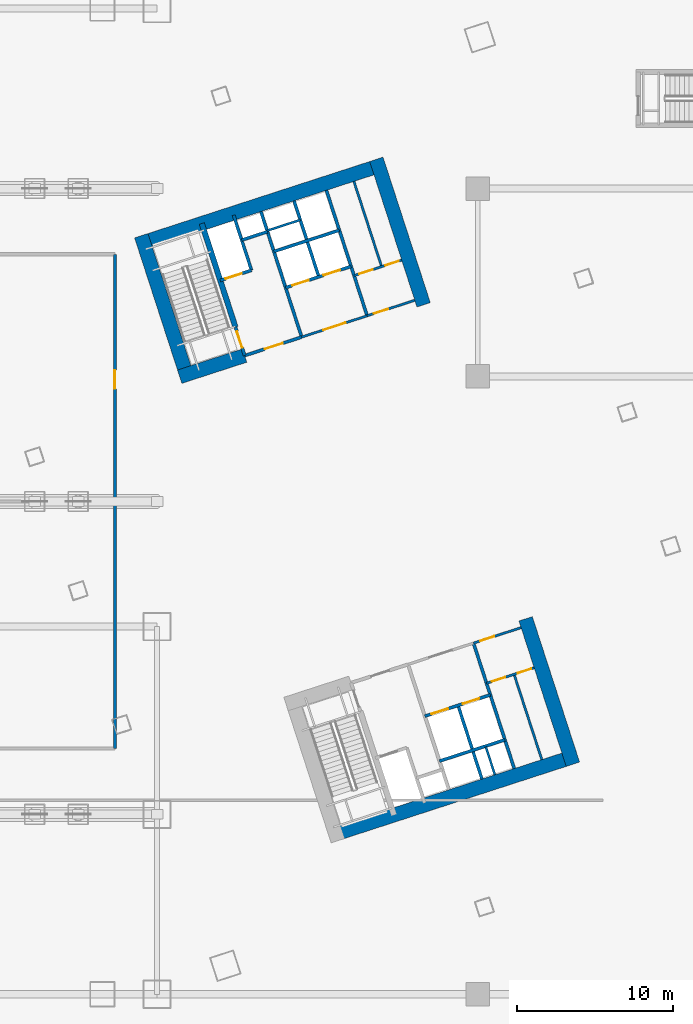
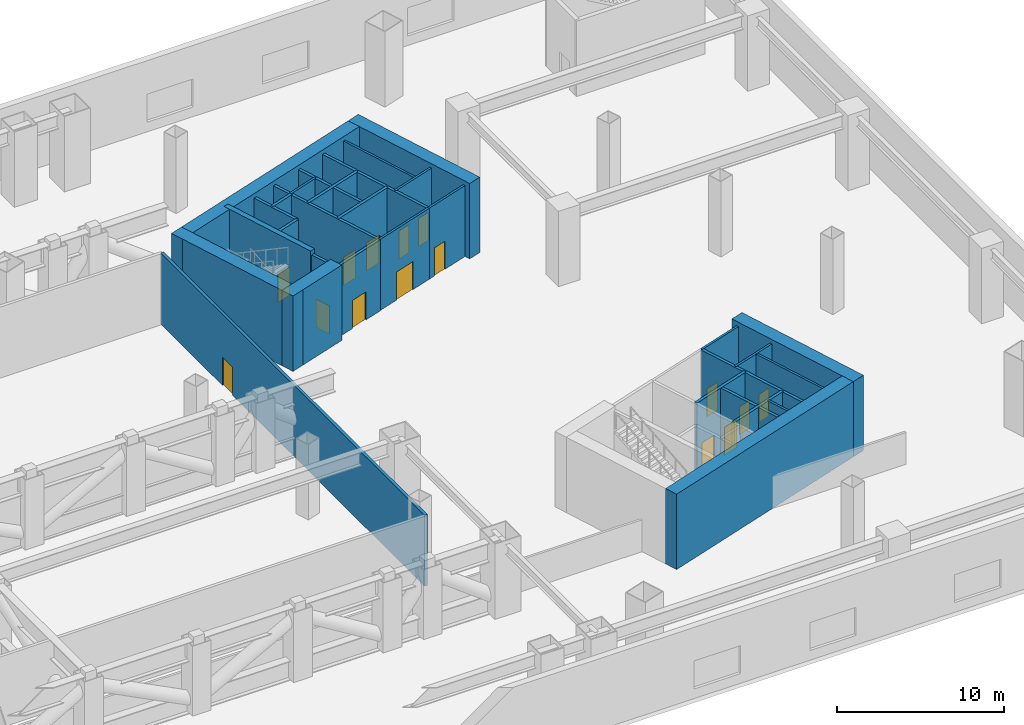
# One storey, part 28 of 34: 31 walls, 15 doors, 15 openings.
"""IFC4 building model written with IfcOpenShell, lengths in metres."""

from ifc_helpers import new_model, si_unit, direction, frame, frame_2d, origin, place, context, subcontext, project, spatial, rectangle, extrude, material, layer, layer_set, type_object, element, fill, save


model = new_model("IFC4")

# Units and contexts
model_context = context("Model", 3, precision=1e-05, world=origin(), true_north=direction((0.0, 1.0)))
body_context = subcontext(model_context, "Body", "Model", "MODEL_VIEW")
ifc_project = project(units=[si_unit("LENGTHUNIT", "METRE"), si_unit("AREAUNIT", "SQUARE_METRE"), si_unit("VOLUMEUNIT", "CUBIC_METRE"), si_unit("PLANEANGLEUNIT", "RADIAN"), si_unit("MASSUNIT", "GRAM", prefix="KILO")], contexts=[model_context])

# Site, building, storey
site_placement = place(None, origin())
site = spatial("IfcSite", under=ifc_project, at=site_placement, CompositionType="ELEMENT")
building_placement = place(site_placement, origin())
building = spatial("IfcBuilding", under=site, at=building_placement, Name="Qiaolan Cultural Towers", CompositionType="ELEMENT")
storey_placement = place(building_placement, frame((0.0, 0.0, 16.5)))
storey = spatial("IfcBuildingStorey", under=building, at=storey_placement, Name="L03", CompositionType="ELEMENT", Elevation=16.5)

# Walls
ifc_material_1 = material(Name="Concrete C50", Category="concrete")
ifc_layer_1 = layer(ifc_material_1, 0.35009765625)
ifc_layer_set_1 = layer_set([ifc_layer_1], Name="Concrete C50")
wall_type_1 = type_object("IfcWallType", Name="WL-CORE-350", PredefinedType="SHEAR", material=ifc_layer_set_1)
wall_1_placement = place(storey_placement, frame((82.513671875, 45.13134765625, 0.0), z_axis=(0.0, 0.0, 1.0), x_axis=(-0.308988790936, 0.951065679686, 0.0)))
element("IfcWall", 1, at=wall_1_placement, inside=storey, type_object=wall_type_1, Name="L03 T2-CN Stair Core Dividing Web", PredefinedType="SHEAR", context=body_context, shape_type="SweptSolid", body=[
    extrude(rectangle(XDim=6.97998046875, YDim=0.35009765625, at=frame_2d((3.489990234375, 0.0))), origin(), (0.0, 0.0, 1.0), 5.5),
])
ifc_material_2 = material(Name="Concrete C60", Category="concrete")
ifc_layer_2 = layer(ifc_material_2, 0.89990234375)
ifc_layer_set_2 = layer_set([ifc_layer_2], Name="Concrete C60")
wall_type_2 = type_object("IfcWallType", Name="WL-CORE-900", PredefinedType="SHEAR", material=ifc_layer_set_2)
wall_2_placement = place(storey_placement, frame((88.4873046875, 12.60546875, 0.0), z_axis=(0.0, 0.0, 1.0), x_axis=(0.951055016115, 0.309021611416, 0.0)))
element("IfcWall", 2, at=wall_2_placement, inside=storey, type_object=wall_type_2, Name="L03 T2-CS Outer Core Shear Wall", PredefinedType="SHEAR", context=body_context, shape_type="SweptSolid", body=[
    extrude(rectangle(XDim=16.699951171875, YDim=0.89990234375, at=frame_2d((8.35009765625, 0.0))), origin(), (0.0, 0.0, 1.0), 5.5),
])
wall_3_placement = place(storey_placement, frame((101.058837890625, 26.500244140625, 0.0), z_axis=(0.0, 0.0, 1.0), x_axis=(0.309021722829, -0.951054979914, 0.0)))
element("IfcWall", 3, at=wall_3_placement, inside=storey, type_object=wall_type_2, Name="L03 T2-CS East Core Shear Wall", PredefinedType="SHEAR", context=body_context, shape_type="SweptSolid", body=[
    extrude(rectangle(XDim=9.780029296875, YDim=0.89990234375, at=frame_2d((4.89013671875, 0.0))), origin(), (0.0, 0.0, 1.0), 5.5),
])
wall_4_placement = place(storey_placement, frame((76.20068359375, 50.41943359375, 0.0), z_axis=(0.0, 0.0, 1.0), x_axis=(0.951056412142, 0.309017314926, 0.0)))
element("IfcWall", 4, at=wall_4_placement, inside=storey, type_object=wall_type_2, Name="L03 T2-CN Outer Core Shear Wall", PredefinedType="SHEAR", context=body_context, shape_type="SweptSolid", body=[
    extrude(rectangle(XDim=16.7001953125, YDim=0.89990234375, at=frame_2d((8.35009765625, 0.0))), origin(), (0.0, 0.0, 1.0), 5.5),
])
for number, where, z_axis, x_axis, name in (
    (5, (79.511962890625, 41.68505859375, 0.0), (0.0, 0.0, 1.0), (-0.309021722829, 0.951054979914, 0.0), "L03 T2-CN West Core Shear Wall"),
    (6, (94.53857421875, 46.567626953125, 0.0), (0.0, 0.0, 1.0), (-0.309021722829, 0.951054979914, 0.0), "L03 T2-CN East Core Shear Wall"),
):
    element("IfcWall", number, at=place(storey_placement, frame(where, z_axis=z_axis, x_axis=x_axis)), inside=storey, type_object=wall_type_2, Name=name, PredefinedType="SHEAR", context=body_context, shape_type="SweptSolid", body=[
        extrude(rectangle(XDim=9.780029296875, YDim=0.89990234375, at=frame_2d((4.89013671875, 0.0))), origin(), (0.0, 0.0, 1.0), 5.5),
    ])
wall_5_placement = place(storey_placement, frame((78.94482421875, 41.97412109375, 0.0), z_axis=(0.0, 0.0, 1.0), x_axis=(0.951058289404, 0.309011537255, 0.0)))
element("IfcWall", 7, at=wall_5_placement, inside=storey, type_object=wall_type_2, Name="L03 T2-CN Stair Front Shear Wall", PredefinedType="SHEAR", context=body_context, shape_type="SweptSolid", body=[
    extrude(rectangle(XDim=4.369873046875, YDim=0.89990234375, at=frame_2d((2.18505859375, 0.0))), origin(), (0.0, 0.0, 1.0), 5.5),
])
ifc_material_3 = material(Name="Concrete C35 Fire Wall", Category="concrete")
ifc_layer_3 = layer(ifc_material_3, 0.199951171875)
ifc_layer_set_3 = layer_set([ifc_layer_3], Name="Concrete C35 Fire Wall")
wall_type_3 = type_object("IfcWallType", Name="WL-FIRE-200", PredefinedType="PARTITIONING", material=ifc_layer_set_3)
wall_6_placement = place(storey_placement, frame((97.7265625, 24.9443359375, 0.0), z_axis=(0.0, 0.0, 1.0), x_axis=(0.309016001439, -0.951056838919, 0.0)))
element("IfcWall", 8, at=wall_6_placement, inside=storey, type_object=wall_type_3, Name="L03 T2-CS Lift Core East Wall", PredefinedType="PARTITIONING", context=body_context, shape_type="SweptSolid", body=[
    extrude(rectangle(XDim=8.429931640625, YDim=0.199951171875, at=frame_2d((4.21484375, 0.0))), origin(), (0.0, 0.0, 1.0), 5.18505859375),
])

# Wall, openings, doors
wall_7_placement = place(storey_placement, frame((94.6171875, 20.275146484375, 0.0), z_axis=(0.0, 0.0, 1.0), x_axis=(0.951058531764, 0.30901079133, 0.0)))
wall_7 = element("IfcWall", 9, at=wall_7_placement, inside=storey, type_object=wall_type_3, Name="L03 T2-CS Passenger Lift Shaft Front Wall", PredefinedType="PARTITIONING", context=body_context, shape_type="SweptSolid", body=[
    extrude(rectangle(XDim=4.39990234375, YDim=0.199951171875, at=frame_2d((2.199951171875, 0.0))), origin(), (0.0, 0.0, 1.0), 5.18505859375),
])
opening_1_placement = place(wall_7_placement, frame((0.449951171875, 0.0, 0.0)))
opening_1 = element("IfcOpeningElement", 10, at=opening_1_placement, cuts=wall_7, Name="Opening LD-01", PredefinedType="OPENING", context=body_context, shape_type="SweptSolid", body=[
    extrude(rectangle(XDim=1.10009765625, YDim=2.050048828125, at=frame_2d((0.550048828125, 1.02490234375))), frame((0.0, 0.10986328125, 0.0), z_axis=(0.0, -1.0, 0.0), x_axis=(1.0, 0.0, 0.0)), (0.0, 0.0, 1.0), 0.219970703125),
])
opening_2_placement = place(wall_7_placement, frame((2.550048828125, 0.0, 0.0)))
opening_2 = element("IfcOpeningElement", 11, at=opening_2_placement, cuts=wall_7, Name="Opening LD-01", PredefinedType="OPENING", context=body_context, shape_type="SweptSolid", body=[
    extrude(rectangle(XDim=1.10009765625, YDim=2.050048828125, at=frame_2d((0.550048828125, 1.02490234375))), frame((0.0, 0.10986328125, 0.0), z_axis=(0.0, -1.0, 0.0), x_axis=(1.0, 0.0, 0.0)), (0.0, 0.0, 1.0), 0.219970703125),
])
ifc_material_4 = material(Name="Brushed Stainless Steel S30408 Centre-Parting Lift Landing Door", Category="steel")
door_type_1 = type_object("IfcDoorType", Name="DR-LIFT-1100", OperationType="NOTDEFINED", PredefinedType="DOOR", material=ifc_material_4)
door_1_placement = place(opening_1_placement, origin())
door_1 = element("IfcDoor", 12, at=door_1_placement, inside=storey, type_object=door_type_1, Name="L03 Passenger Lift 1 Landing Door", OperationType="DOUBLE_DOOR_SLIDING", OverallHeight=2.050048828125, OverallWidth=1.10009765625, PredefinedType="DOOR", context=body_context, shape_type="SweptSolid", body=[
    extrude(rectangle(XDim=1.10009765625, YDim=2.050048828125, at=frame_2d((0.550048828125, 1.02490234375))), frame((0.0, 0.02490234375, 0.0), z_axis=(0.0, -1.0, 0.0), x_axis=(1.0, 0.0, 0.0)), (0.0, 0.0, 1.0), 0.050048828125),
])
fill(opening_1, door_1)
door_2_placement = place(opening_2_placement, origin())
door_2 = element("IfcDoor", 13, at=door_2_placement, inside=storey, type_object=door_type_1, Name="L03 Passenger Lift 2 Landing Door", OperationType="DOUBLE_DOOR_SLIDING", OverallHeight=2.050048828125, OverallWidth=1.10009765625, PredefinedType="DOOR", context=body_context, shape_type="SweptSolid", body=[
    extrude(rectangle(XDim=1.10009765625, YDim=2.050048828125, at=frame_2d((0.550048828125, 1.02490234375))), frame((0.0, 0.02490234375, 0.0), z_axis=(0.0, -1.0, 0.0), x_axis=(1.0, 0.0, 0.0)), (0.0, 0.0, 1.0), 0.050048828125),
])
fill(opening_2, door_2)

# Walls
wall_8_placement = place(storey_placement, frame((96.738037109375, 20.964111328125, 0.0), z_axis=(0.0, 0.0, 1.0), x_axis=(0.309042578481, -0.951048203135, 0.0)))
element("IfcWall", 14, at=wall_8_placement, inside=storey, type_object=wall_type_3, Name="L03 T2-CS Lift Shaft Divider Wall", PredefinedType="PARTITIONING", context=body_context, shape_type="SweptSolid", body=[
    extrude(rectangle(XDim=4.9501953125, YDim=0.199951171875, at=frame_2d((2.47509765625, 0.0))), origin(), (0.0, 0.0, 1.0), 5.18505859375),
])
wall_9_placement = place(storey_placement, frame((95.550537109375, 17.40283203125, 0.0), z_axis=(0.0, 0.0, 1.0), x_axis=(0.951058531764, 0.30901079133, 0.0)))
element("IfcWall", 15, at=wall_9_placement, inside=storey, type_object=wall_type_3, Name="L03 T2-CS Passenger Lift Shaft Back Wall", PredefinedType="PARTITIONING", context=body_context, shape_type="SweptSolid", body=[
    extrude(rectangle(XDim=4.39990234375, YDim=0.199951171875, at=frame_2d((2.199951171875, 0.0))), origin(), (0.0, 0.0, 1.0), 5.18505859375),
])

# Wall, opening, door
wall_10_placement = place(storey_placement, frame((83.100830078125, 43.324462890625, 0.0), z_axis=(0.0, 0.0, 1.0), x_axis=(-0.309048298632, 0.951046344356, 0.0)))
wall_10 = element("IfcWall", 16, at=wall_10_placement, inside=storey, type_object=wall_type_3, Name="L03 T2-CN Smokeproof Stair Entry Wall", PredefinedType="PARTITIONING", context=body_context, shape_type="SweptSolid", body=[
    extrude(rectangle(XDim=1.89990234375, YDim=0.199951171875, at=frame_2d((0.949951171875, 0.0))), origin(), (0.0, 0.0, 1.0), 5.18505859375),
])
opening_3_placement = place(wall_10_placement, frame((0.52001953125, 0.0, 0.0)))
opening_3 = element("IfcOpeningElement", 17, at=opening_3_placement, cuts=wall_10, Name="Opening FD-04", PredefinedType="OPENING", context=body_context, shape_type="SweptSolid", body=[
    extrude(rectangle(XDim=1.10009765625, YDim=2.050048828125, at=frame_2d((0.550048828125, 1.02490234375))), frame((0.0, 0.10986328125, 0.0), z_axis=(0.0, -1.0, 0.0), x_axis=(1.0, 0.0, 0.0)), (0.0, 0.0, 1.0), 0.219970703125),
])
ifc_material_5 = material(Name="Galvanized Steel Command Fire Door", Category="steel")
door_type_2 = type_object("IfcDoorType", Name="DR-FD90-1100", OperationType="NOTDEFINED", PredefinedType="DOOR", material=ifc_material_5)
door_3_placement = place(opening_3_placement, origin())
door_3 = element("IfcDoor", 18, at=door_3_placement, inside=storey, type_object=door_type_2, Name="L03 ST-E2 Smokeproof Stair Fire Door", OperationType="SINGLE_SWING_LEFT", OverallHeight=2.050048828125, OverallWidth=1.10009765625, PredefinedType="DOOR", context=body_context, shape_type="SweptSolid", body=[
    extrude(rectangle(XDim=1.10009765625, YDim=2.050048828125, at=frame_2d((0.550048828125, 1.02490234375))), frame((0.0, 0.02490234375, 0.0), z_axis=(0.0, -1.0, 0.0), x_axis=(1.0, 0.0, 0.0)), (0.0, 0.0, 1.0), 0.050048828125),
])
fill(opening_3, door_3)

# Wall
wall_11_placement = place(storey_placement, frame((86.743408203125, 44.508056640625, 0.0), z_axis=(0.0, 0.0, 1.0), x_axis=(-0.309016001439, 0.951056838919, 0.0)))
element("IfcWall", 19, at=wall_11_placement, inside=storey, type_object=wall_type_3, Name="L03 T2-CN Firefighting Zone Wall", PredefinedType="PARTITIONING", context=body_context, shape_type="SweptSolid", body=[
    extrude(rectangle(XDim=8.429931640625, YDim=0.199951171875, at=frame_2d((4.21484375, 0.0))), origin(), (0.0, 0.0, 1.0), 5.18505859375),
])

# Wall, opening, door
wall_12_placement = place(storey_placement, frame((83.100830078125, 43.324462890625, 0.0), z_axis=(0.0, 0.0, 1.0), x_axis=(0.951052804469, 0.309028417967, 0.0)))
wall_12 = element("IfcWall", 20, at=wall_12_placement, inside=storey, type_object=wall_type_3, Name="L03 T2-CN Firefighting Lobby Front Wall", PredefinedType="PARTITIONING", context=body_context, shape_type="SweptSolid", body=[
    extrude(rectangle(XDim=3.830078125, YDim=0.199951171875, at=frame_2d((1.9150390625, 0.0))), origin(), (0.0, 0.0, 1.0), 5.18505859375),
])
opening_4_placement = place(wall_12_placement, frame((1.35009765625, 0.0, 0.0)))
opening_4 = element("IfcOpeningElement", 21, at=opening_4_placement, cuts=wall_12, Name="Opening FD-03", PredefinedType="OPENING", context=body_context, shape_type="SweptSolid", body=[
    extrude(rectangle(XDim=1.199951171875, YDim=2.050048828125, at=frame_2d((0.60009765625, 1.02490234375))), frame((0.0, 0.10986328125, 0.0), z_axis=(0.0, -1.0, 0.0), x_axis=(1.0, 0.0, 0.0)), (0.0, 0.0, 1.0), 0.219970703125),
])
ifc_material_6 = material(Name="Galvanized Steel Smokeproof Lobby Fire Door", Category="steel")
door_type_3 = type_object("IfcDoorType", Name="DR-FD90-1200", OperationType="NOTDEFINED", PredefinedType="DOOR", material=ifc_material_6)
door_4_placement = place(opening_4_placement, origin())
door_4 = element("IfcDoor", 22, at=door_4_placement, inside=storey, type_object=door_type_3, Name="L03 FFL-E2 Firefighting Lobby Fire Door", OperationType="SINGLE_SWING_LEFT", OverallHeight=2.050048828125, OverallWidth=1.199951171875, PredefinedType="DOOR", context=body_context, shape_type="SweptSolid", body=[
    extrude(rectangle(XDim=1.199951171875, YDim=2.050048828125, at=frame_2d((0.60009765625, 1.02490234375))), frame((0.0, 0.02490234375, 0.0), z_axis=(0.0, -1.0, 0.0), x_axis=(1.0, 0.0, 0.0)), (0.0, 0.0, 1.0), 0.050048828125),
])
fill(opening_4, door_4)

wall_13_placement = place(storey_placement, frame((81.540283203125, 48.127197265625, 0.0), z_axis=(0.0, 0.0, 1.0), x_axis=(0.951062257173, 0.308999325213, 0.0)))
wall_13 = element("IfcWall", 23, at=wall_13_placement, inside=storey, type_object=wall_type_3, Name="L03 T2-CN Firefighting Shaft Front Wall", PredefinedType="PARTITIONING", context=body_context, shape_type="SweptSolid", body=[
    extrude(rectangle(XDim=2.10009765625, YDim=0.199951171875, at=frame_2d((1.050048828125, 0.0))), origin(), (0.0, 0.0, 1.0), 5.18505859375),
])
opening_5_placement = place(wall_13_placement, frame((0.35009765625, 0.0, 0.0)))
opening_5 = element("IfcOpeningElement", 24, at=opening_5_placement, cuts=wall_13, Name="Opening LD-01", PredefinedType="OPENING", context=body_context, shape_type="SweptSolid", body=[
    extrude(rectangle(XDim=1.10009765625, YDim=2.050048828125, at=frame_2d((0.550048828125, 1.02490234375))), frame((0.0, 0.10986328125, 0.0), z_axis=(0.0, -1.0, 0.0), x_axis=(1.0, 0.0, 0.0)), (0.0, 0.0, 1.0), 0.219970703125),
])
door_5_placement = place(opening_5_placement, origin())
door_5 = element("IfcDoor", 25, at=door_5_placement, inside=storey, type_object=door_type_1, Name="L03 FFL-E2 Firefighting Lift Landing Door", OperationType="DOUBLE_DOOR_SLIDING", OverallHeight=2.050048828125, OverallWidth=1.10009765625, PredefinedType="DOOR", context=body_context, shape_type="SweptSolid", body=[
    extrude(rectangle(XDim=1.10009765625, YDim=2.050048828125, at=frame_2d((0.550048828125, 1.02490234375))), frame((0.0, 0.02490234375, 0.0), z_axis=(0.0, -1.0, 0.0), x_axis=(1.0, 0.0, 0.0)), (0.0, 0.0, 1.0), 0.050048828125),
])
fill(opening_5, door_5)

# Walls
wall_14_placement = place(storey_placement, frame((83.53759765625, 48.776123046875, 0.0), z_axis=(0.0, 0.0, 1.0), x_axis=(-0.3089935693, 0.951064127245, 0.0)))
element("IfcWall", 26, at=wall_14_placement, inside=storey, type_object=wall_type_3, Name="L03 T2-CN Firefighting Hoistway East Wall", PredefinedType="PARTITIONING", context=body_context, shape_type="SweptSolid", body=[
    extrude(rectangle(XDim=3.7001953125, YDim=0.199951171875, at=frame_2d((1.85009765625, 0.0))), origin(), (0.0, 0.0, 1.0), 5.18505859375),
])
wall_15_placement = place(storey_placement, frame((82.910400390625, 50.706787109375, 0.0), z_axis=(0.0, 0.0, 1.0), x_axis=(0.951041328149, 0.309063734775, 0.0)))
element("IfcWall", 27, at=wall_15_placement, inside=storey, type_object=wall_type_3, Name="L03 T2-CN Pressurization Shaft Front Wall", PredefinedType="PARTITIONING", context=body_context, shape_type="SweptSolid", body=[
    extrude(rectangle(XDim=1.72998046875, YDim=0.199951171875, at=frame_2d((0.864990234375, 0.0))), origin(), (0.0, 0.0, 1.0), 5.18505859375),
])
wall_16_placement = place(storey_placement, frame((90.92822265625, 45.86767578125, 0.0), z_axis=(0.0, 0.0, 1.0), x_axis=(-0.309042196757, 0.951048327176, 0.0)))
element("IfcWall", 28, at=wall_16_placement, inside=storey, type_object=wall_type_3, Name="L03 T2-CN Lift Core East Wall", PredefinedType="PARTITIONING", context=body_context, shape_type="SweptSolid", body=[
    extrude(rectangle(XDim=8.429931640625, YDim=0.199951171875, at=frame_2d((4.21484375, 0.0))), origin(), (0.0, 0.0, 1.0), 5.18505859375),
])

# Wall, openings, doors
wall_17_placement = place(storey_placement, frame((85.717529296875, 47.66552734375, 0.0), z_axis=(0.0, 0.0, 1.0), x_axis=(0.951058531764, 0.30901079133, 0.0)))
wall_17 = element("IfcWall", 29, at=wall_17_placement, inside=storey, type_object=wall_type_3, Name="L03 T2-CN Passenger Lift Shaft Front Wall", PredefinedType="PARTITIONING", context=body_context, shape_type="SweptSolid", body=[
    extrude(rectangle(XDim=4.39990234375, YDim=0.199951171875, at=frame_2d((2.199951171875, 0.0))), origin(), (0.0, 0.0, 1.0), 5.18505859375),
])
opening_6_placement = place(wall_17_placement, frame((0.449951171875, 0.0, 0.0)))
opening_6 = element("IfcOpeningElement", 30, at=opening_6_placement, cuts=wall_17, Name="Opening LD-01", PredefinedType="OPENING", context=body_context, shape_type="SweptSolid", body=[
    extrude(rectangle(XDim=1.10009765625, YDim=2.050048828125, at=frame_2d((0.550048828125, 1.02490234375))), frame((0.0, 0.10986328125, 0.0), z_axis=(0.0, -1.0, 0.0), x_axis=(1.0, 0.0, 0.0)), (0.0, 0.0, 1.0), 0.219970703125),
])
opening_7_placement = place(wall_17_placement, frame((2.550048828125, 0.0, 0.0)))
opening_7 = element("IfcOpeningElement", 31, at=opening_7_placement, cuts=wall_17, Name="Opening LD-01", PredefinedType="OPENING", context=body_context, shape_type="SweptSolid", body=[
    extrude(rectangle(XDim=1.10009765625, YDim=2.050048828125, at=frame_2d((0.550048828125, 1.02490234375))), frame((0.0, 0.10986328125, 0.0), z_axis=(0.0, -1.0, 0.0), x_axis=(1.0, 0.0, 0.0)), (0.0, 0.0, 1.0), 0.219970703125),
])
door_6_placement = place(opening_6_placement, origin())
door_6 = element("IfcDoor", 32, at=door_6_placement, inside=storey, type_object=door_type_1, Name="L03 Passenger Lift 1 Landing Door", OperationType="DOUBLE_DOOR_SLIDING", OverallHeight=2.050048828125, OverallWidth=1.10009765625, PredefinedType="DOOR", context=body_context, shape_type="SweptSolid", body=[
    extrude(rectangle(XDim=1.10009765625, YDim=2.050048828125, at=frame_2d((0.550048828125, 1.02490234375))), frame((0.0, 0.02490234375, 0.0), z_axis=(0.0, -1.0, 0.0), x_axis=(1.0, 0.0, 0.0)), (0.0, 0.0, 1.0), 0.050048828125),
])
fill(opening_6, door_6)
door_7_placement = place(opening_7_placement, origin())
door_7 = element("IfcDoor", 33, at=door_7_placement, inside=storey, type_object=door_type_1, Name="L03 Passenger Lift 2 Landing Door", OperationType="DOUBLE_DOOR_SLIDING", OverallHeight=2.050048828125, OverallWidth=1.10009765625, PredefinedType="DOOR", context=body_context, shape_type="SweptSolid", body=[
    extrude(rectangle(XDim=1.10009765625, YDim=2.050048828125, at=frame_2d((0.550048828125, 1.02490234375))), frame((0.0, 0.02490234375, 0.0), z_axis=(0.0, -1.0, 0.0), x_axis=(1.0, 0.0, 0.0)), (0.0, 0.0, 1.0), 0.050048828125),
])
fill(opening_7, door_7)

# Walls
wall_18_placement = place(storey_placement, frame((87.83837890625, 48.3544921875, 0.0), z_axis=(0.0, 0.0, 1.0), x_axis=(-0.3090093719, 0.951058992953, 0.0)))
element("IfcWall", 34, at=wall_18_placement, inside=storey, type_object=wall_type_3, Name="L03 T2-CN Lift Shaft Divider Wall", PredefinedType="PARTITIONING", context=body_context, shape_type="SweptSolid", body=[
    extrude(rectangle(XDim=5.110107421875, YDim=0.199951171875, at=frame_2d((2.55517578125, 0.0))), origin(), (0.0, 0.0, 1.0), 5.18505859375),
])
wall_19_placement = place(storey_placement, frame((84.966552734375, 49.9765625, 0.0), z_axis=(0.0, 0.0, 1.0), x_axis=(0.951063829732, 0.308994485023, 0.0)))
element("IfcWall", 35, at=wall_19_placement, inside=storey, type_object=wall_type_3, Name="L03 T2-CN Passenger Lift Shaft Back Wall", PredefinedType="PARTITIONING", context=body_context, shape_type="SweptSolid", body=[
    extrude(rectangle(XDim=4.400146484375, YDim=0.199951171875, at=frame_2d((2.2001953125, 0.0))), origin(), (0.0, 0.0, 1.0), 5.18505859375),
])

# Wall, opening, door
wall_20_placement = place(storey_placement, frame((74.800048828125, 18.199951171875, 0.0), z_axis=(0.0, 0.0, 1.0), x_axis=(0.0, 1.0, 0.0)))
wall_20 = element("IfcWall", 36, at=wall_20_placement, inside=storey, type_object=wall_type_3, Name="L03 Podium Partition L03-TRE", PredefinedType="PARTITIONING", context=body_context, shape_type="SweptSolid", body=[
    extrude(rectangle(XDim=31.60009765625, YDim=0.199951171875, at=frame_2d((15.800048828125, 0.0))), origin(), (0.0, 0.0, 1.0), 5.18505859375),
])
opening_8_placement = place(wall_20_placement, frame((23.0, 0.0, 0.0)))
opening_8 = element("IfcOpeningElement", 37, at=opening_8_placement, cuts=wall_20, Name="Opening FD-03", PredefinedType="OPENING", context=body_context, shape_type="SweptSolid", body=[
    extrude(rectangle(XDim=1.199951171875, YDim=2.050048828125, at=frame_2d((0.60009765625, 1.02490234375))), frame((0.0, 0.10986328125, 0.0), z_axis=(0.0, -1.0, 0.0), x_axis=(1.0, 0.0, 0.0)), (0.0, 0.0, 1.0), 0.219970703125),
])
door_8_placement = place(opening_8_placement, origin())
door_8 = element("IfcDoor", 38, at=door_8_placement, inside=storey, type_object=door_type_3, Name="L03 Transfer MEP Plant Door", OperationType="SINGLE_SWING_RIGHT", OverallHeight=2.050048828125, OverallWidth=1.199951171875, PredefinedType="DOOR", context=body_context, shape_type="SweptSolid", body=[
    extrude(rectangle(XDim=1.199951171875, YDim=2.050048828125, at=frame_2d((0.60009765625, 1.02490234375))), frame((0.0, 0.02490234375, 0.0), z_axis=(0.0, -1.0, 0.0), x_axis=(1.0, 0.0, 0.0)), (0.0, 0.0, 1.0), 0.050048828125),
])
fill(opening_8, door_8)

# Wall
ifc_material_7 = material(Name="Autoclaved Aerated Concrete Block B06", Category="concrete")
ifc_layer_4 = layer(ifc_material_7, 0.14990234375)
ifc_layer_set_4 = layer_set([ifc_layer_4], Name="Autoclaved Aerated Concrete Block B06")
wall_type_4 = type_object("IfcWallType", Name="WL-PART-150", PredefinedType="PARTITIONING", material=ifc_layer_set_4)
wall_21_placement = place(storey_placement, frame((98.51416015625, 18.313232421875, 0.0), z_axis=(0.0, 0.0, 1.0), x_axis=(0.309089008895, -0.951033114345, 0.0)))
element("IfcWall", 39, at=wall_21_placement, inside=storey, type_object=wall_type_4, Name="L03 T2-CS Core Rear Asymmetric Wall", PredefinedType="PARTITIONING", context=body_context, shape_type="SweptSolid", body=[
    extrude(rectangle(XDim=1.8798828125, YDim=0.14990234375, at=frame_2d((0.93994140625, 0.0))), origin(), (0.0, 0.0, 1.0), 5.18505859375),
])

# Wall, opening, door
wall_22_placement = place(storey_placement, frame((97.7265625, 24.9443359375, 0.0), z_axis=(0.0, 0.0, 1.0), x_axis=(0.951036872128, 0.309077446369, 0.0)))
wall_22 = element("IfcWall", 40, at=wall_22_placement, inside=storey, type_object=wall_type_4, Name="L03 T2-CS Sanitary Core Front Wall", PredefinedType="PARTITIONING", context=body_context, shape_type="SweptSolid", body=[
    extrude(rectangle(XDim=3.199951171875, YDim=0.14990234375, at=frame_2d((1.60009765625, 0.0))), origin(), (0.0, 0.0, 1.0), 5.18505859375),
])
opening_9_placement = place(wall_22_placement, frame((0.449951171875, 0.0, 0.0)))
opening_9 = element("IfcOpeningElement", 41, at=opening_9_placement, cuts=wall_22, Name="Opening ID-05", PredefinedType="OPENING", context=body_context, shape_type="SweptSolid", body=[
    extrude(rectangle(XDim=0.949951171875, YDim=2.050048828125, at=frame_2d((0.47509765625, 1.02490234375))), frame((0.0, 0.0849609375, 0.0), z_axis=(0.0, -1.0, 0.0), x_axis=(1.0, 0.0, 0.0)), (0.0, 0.0, 1.0), 0.169921875),
])
ifc_material_8 = material(Name="Fire-Rated Laminate Accessible Core Door", Category="timber")
door_type_4 = type_object("IfcDoorType", Name="DR-INT-950", OperationType="NOTDEFINED", PredefinedType="DOOR", material=ifc_material_8)
door_9_placement = place(opening_9_placement, origin())
door_9 = element("IfcDoor", 42, at=door_9_placement, inside=storey, type_object=door_type_4, Name="L03 Sanitary Vestibule Door", OperationType="SINGLE_SWING_LEFT", OverallHeight=2.050048828125, OverallWidth=0.949951171875, PredefinedType="DOOR", context=body_context, shape_type="SweptSolid", body=[
    extrude(rectangle(XDim=0.949951171875, YDim=2.050048828125, at=frame_2d((0.47509765625, 1.02490234375))), frame((0.0, 0.02490234375, 0.0), z_axis=(0.0, -1.0, 0.0), x_axis=(1.0, 0.0, 0.0)), (0.0, 0.0, 1.0), 0.050048828125),
])
fill(opening_9, door_9)

# Wall, openings, doors
wall_23_placement = place(storey_placement, frame((98.560791015625, 22.37646484375, 0.0), z_axis=(0.0, 0.0, 1.0), x_axis=(0.95104415986, 0.309055020985, 0.0)))
wall_23 = element("IfcWall", 43, at=wall_23_placement, inside=storey, type_object=wall_type_4, Name="L03 T2-CS Restroom Vestibule Wall", PredefinedType="PARTITIONING", context=body_context, shape_type="SweptSolid", body=[
    extrude(rectangle(XDim=3.2001953125, YDim=0.14990234375, at=frame_2d((1.60009765625, 0.0))), origin(), (0.0, 0.0, 1.0), 5.18505859375),
])
opening_10_placement = place(wall_23_placement, frame((0.35009765625, 0.0, 0.0)))
opening_10 = element("IfcOpeningElement", 44, at=opening_10_placement, cuts=wall_23, Name="Opening ID-06", PredefinedType="OPENING", context=body_context, shape_type="SweptSolid", body=[
    extrude(rectangle(XDim=0.89990234375, YDim=2.050048828125, at=frame_2d((0.449951171875, 1.02490234375))), frame((0.0, 0.0849609375, 0.0), z_axis=(0.0, -1.0, 0.0), x_axis=(1.0, 0.0, 0.0)), (0.0, 0.0, 1.0), 0.169921875),
])
opening_11_placement = place(wall_23_placement, frame((2.10009765625, 0.0, 0.0)))
opening_11 = element("IfcOpeningElement", 45, at=opening_11_placement, cuts=wall_23, Name="Opening ID-06", PredefinedType="OPENING", context=body_context, shape_type="SweptSolid", body=[
    extrude(rectangle(XDim=0.89990234375, YDim=2.050048828125, at=frame_2d((0.449951171875, 1.02490234375))), frame((0.0, 0.0849609375, 0.0), z_axis=(0.0, -1.0, 0.0), x_axis=(1.0, 0.0, 0.0)), (0.0, 0.0, 1.0), 0.169921875),
])
ifc_material_9 = material(Name="Fire-Rated Laminate Core Service Door", Category="timber")
door_type_5 = type_object("IfcDoorType", Name="DR-INT-900", OperationType="NOTDEFINED", PredefinedType="DOOR", material=ifc_material_9)
door_10_placement = place(opening_10_placement, origin())
door_10 = element("IfcDoor", 46, at=door_10_placement, inside=storey, type_object=door_type_5, Name="L03 Men Restroom Door", OperationType="SINGLE_SWING_LEFT", OverallHeight=2.050048828125, OverallWidth=0.89990234375, PredefinedType="DOOR", context=body_context, shape_type="SweptSolid", body=[
    extrude(rectangle(XDim=0.89990234375, YDim=2.050048828125, at=frame_2d((0.449951171875, 1.02490234375))), frame((0.0, 0.02490234375, 0.0), z_axis=(0.0, -1.0, 0.0), x_axis=(1.0, 0.0, 0.0)), (0.0, 0.0, 1.0), 0.050048828125),
])
fill(opening_10, door_10)
door_11_placement = place(opening_11_placement, origin())
door_11 = element("IfcDoor", 47, at=door_11_placement, inside=storey, type_object=door_type_5, Name="L03 Accessible & Women Restroom Door", OperationType="SINGLE_SWING_RIGHT", OverallHeight=2.050048828125, OverallWidth=0.89990234375, PredefinedType="DOOR", context=body_context, shape_type="SweptSolid", body=[
    extrude(rectangle(XDim=0.89990234375, YDim=2.050048828125, at=frame_2d((0.449951171875, 1.02490234375))), frame((0.0, 0.02490234375, 0.0), z_axis=(0.0, -1.0, 0.0), x_axis=(1.0, 0.0, 0.0)), (0.0, 0.0, 1.0), 0.050048828125),
])
fill(opening_11, door_11)

# Wall
wall_24_placement = place(storey_placement, frame((100.3203125, 22.9482421875, 0.0), z_axis=(0.0, 0.0, 1.0), x_axis=(0.309035009867, -0.951050662518, 0.0)))
element("IfcWall", 48, at=wall_24_placement, inside=storey, type_object=wall_type_4, Name="L03 T2-CS Restroom Divider Wall", PredefinedType="PARTITIONING", context=body_context, shape_type="SweptSolid", body=[
    extrude(rectangle(XDim=5.72998046875, YDim=0.14990234375, at=frame_2d((2.864990234375, 0.0))), origin(), (0.0, 0.0, 1.0), 5.18505859375),
])

# Wall, opening, door
wall_25_placement = place(storey_placement, frame((86.743408203125, 44.508056640625, 0.0), z_axis=(0.0, 0.0, 1.0), x_axis=(0.951063829732, 0.308994485023, 0.0)))
wall_25 = element("IfcWall", 49, at=wall_25_placement, inside=storey, type_object=wall_type_4, Name="L03 T2-CN Passenger Lift Lobby Front Wall", PredefinedType="PARTITIONING", context=body_context, shape_type="SweptSolid", body=[
    extrude(rectangle(XDim=4.400146484375, YDim=0.14990234375, at=frame_2d((2.2001953125, 0.0))), origin(), (0.0, 0.0, 1.0), 5.18505859375),
])
opening_12_placement = place(wall_25_placement, frame((1.449951171875, 0.0, 0.0)))
opening_12 = element("IfcOpeningElement", 50, at=opening_12_placement, cuts=wall_25, Name="Opening FD-05", PredefinedType="OPENING", context=body_context, shape_type="SweptSolid", body=[
    extrude(rectangle(XDim=1.5, YDim=2.050048828125, at=frame_2d((0.75, 1.02490234375))), frame((0.0, 0.0849609375, 0.0), z_axis=(0.0, -1.0, 0.0), x_axis=(1.0, 0.0, 0.0)), (0.0, 0.0, 1.0), 0.169921875),
])
ifc_material_10 = material(Name="Painted Steel Lift Lobby Fire Door", Category="steel")
door_type_6 = type_object("IfcDoorType", Name="DR-FD60-1500", OperationType="NOTDEFINED", PredefinedType="DOOR", material=ifc_material_10)
door_12_placement = place(opening_12_placement, origin())
door_12 = element("IfcDoor", 51, at=door_12_placement, inside=storey, type_object=door_type_6, Name="L03 Passenger Lift Lobby Entrance", OperationType="SINGLE_SWING_LEFT", OverallHeight=2.050048828125, OverallWidth=1.5, PredefinedType="DOOR", context=body_context, shape_type="SweptSolid", body=[
    extrude(rectangle(XDim=1.5, YDim=2.050048828125, at=frame_2d((0.75, 1.02490234375))), frame((0.0, 0.02490234375, 0.0), z_axis=(0.0, -1.0, 0.0), x_axis=(1.0, 0.0, 0.0)), (0.0, 0.0, 1.0), 0.050048828125),
])
fill(opening_12, door_12)

# Wall
wall_26_placement = place(storey_placement, frame((84.533935546875, 51.30810546875, 0.0), z_axis=(0.0, 0.0, 1.0), x_axis=(0.951075093106, 0.308959814982, 0.0)))
element("IfcWall", 52, at=wall_26_placement, inside=storey, type_object=wall_type_4, Name="L03 T2-CN Core Rear Riser Split", PredefinedType="PARTITIONING", context=body_context, shape_type="SweptSolid", body=[
    extrude(rectangle(XDim=2.22998046875, YDim=0.14990234375, at=frame_2d((1.114990234375, 0.0))), origin(), (0.0, 0.0, 1.0), 5.18505859375),
])

# Wall, opening, door
wall_27_placement = place(storey_placement, frame((90.92822265625, 45.86767578125, 0.0), z_axis=(0.0, 0.0, 1.0), x_axis=(0.951059297078, 0.309008435874, 0.0)))
wall_27 = element("IfcWall", 53, at=wall_27_placement, inside=storey, type_object=wall_type_4, Name="L03 T2-CN Sanitary Core Front Wall", PredefinedType="PARTITIONING", context=body_context, shape_type="SweptSolid", body=[
    extrude(rectangle(XDim=3.19970703125, YDim=0.14990234375, at=frame_2d((1.599853515625, 0.0))), origin(), (0.0, 0.0, 1.0), 5.18505859375),
])
opening_13_placement = place(wall_27_placement, frame((0.449951171875, 0.0, 0.0)))
opening_13 = element("IfcOpeningElement", 54, at=opening_13_placement, cuts=wall_27, Name="Opening ID-05", PredefinedType="OPENING", context=body_context, shape_type="SweptSolid", body=[
    extrude(rectangle(XDim=0.949951171875, YDim=2.050048828125, at=frame_2d((0.47509765625, 1.02490234375))), frame((0.0, 0.0849609375, 0.0), z_axis=(0.0, -1.0, 0.0), x_axis=(1.0, 0.0, 0.0)), (0.0, 0.0, 1.0), 0.169921875),
])
door_13_placement = place(opening_13_placement, origin())
door_13 = element("IfcDoor", 55, at=door_13_placement, inside=storey, type_object=door_type_4, Name="L03 Sanitary Vestibule Door", OperationType="SINGLE_SWING_LEFT", OverallHeight=2.050048828125, OverallWidth=0.949951171875, PredefinedType="DOOR", context=body_context, shape_type="SweptSolid", body=[
    extrude(rectangle(XDim=0.949951171875, YDim=2.050048828125, at=frame_2d((0.47509765625, 1.02490234375))), frame((0.0, 0.02490234375, 0.0), z_axis=(0.0, -1.0, 0.0), x_axis=(1.0, 0.0, 0.0)), (0.0, 0.0, 1.0), 0.050048828125),
])
fill(opening_13, door_13)

# Wall, openings, doors
wall_28_placement = place(storey_placement, frame((90.09375, 48.435546875, 0.0), z_axis=(0.0, 0.0, 1.0), x_axis=(0.951066581729, 0.308986014439, 0.0)))
wall_28 = element("IfcWall", 56, at=wall_28_placement, inside=storey, type_object=wall_type_4, Name="L03 T2-CN Restroom Vestibule Wall", PredefinedType="PARTITIONING", context=body_context, shape_type="SweptSolid", body=[
    extrude(rectangle(XDim=3.199951171875, YDim=0.14990234375, at=frame_2d((1.60009765625, 0.0))), origin(), (0.0, 0.0, 1.0), 5.18505859375),
])
opening_14_placement = place(wall_28_placement, frame((0.35009765625, 0.0, 0.0)))
opening_14 = element("IfcOpeningElement", 57, at=opening_14_placement, cuts=wall_28, Name="Opening ID-06", PredefinedType="OPENING", context=body_context, shape_type="SweptSolid", body=[
    extrude(rectangle(XDim=0.89990234375, YDim=2.050048828125, at=frame_2d((0.449951171875, 1.02490234375))), frame((0.0, 0.0849609375, 0.0), z_axis=(0.0, -1.0, 0.0), x_axis=(1.0, 0.0, 0.0)), (0.0, 0.0, 1.0), 0.169921875),
])
opening_15_placement = place(wall_28_placement, frame((2.10009765625, 0.0, 0.0)))
opening_15 = element("IfcOpeningElement", 58, at=opening_15_placement, cuts=wall_28, Name="Opening ID-06", PredefinedType="OPENING", context=body_context, shape_type="SweptSolid", body=[
    extrude(rectangle(XDim=0.89990234375, YDim=2.050048828125, at=frame_2d((0.449951171875, 1.02490234375))), frame((0.0, 0.0849609375, 0.0), z_axis=(0.0, -1.0, 0.0), x_axis=(1.0, 0.0, 0.0)), (0.0, 0.0, 1.0), 0.169921875),
])
door_14_placement = place(opening_14_placement, origin())
door_14 = element("IfcDoor", 59, at=door_14_placement, inside=storey, type_object=door_type_5, Name="L03 Men Restroom Door", OperationType="SINGLE_SWING_LEFT", OverallHeight=2.050048828125, OverallWidth=0.89990234375, PredefinedType="DOOR", context=body_context, shape_type="SweptSolid", body=[
    extrude(rectangle(XDim=0.89990234375, YDim=2.050048828125, at=frame_2d((0.449951171875, 1.02490234375))), frame((0.0, 0.02490234375, 0.0), z_axis=(0.0, -1.0, 0.0), x_axis=(1.0, 0.0, 0.0)), (0.0, 0.0, 1.0), 0.050048828125),
])
fill(opening_14, door_14)
door_15_placement = place(opening_15_placement, origin())
door_15 = element("IfcDoor", 60, at=door_15_placement, inside=storey, type_object=door_type_5, Name="L03 Accessible & Women Restroom Door", OperationType="SINGLE_SWING_RIGHT", OverallHeight=2.050048828125, OverallWidth=0.89990234375, PredefinedType="DOOR", context=body_context, shape_type="SweptSolid", body=[
    extrude(rectangle(XDim=0.89990234375, YDim=2.050048828125, at=frame_2d((0.449951171875, 1.02490234375))), frame((0.0, 0.02490234375, 0.0), z_axis=(0.0, -1.0, 0.0), x_axis=(1.0, 0.0, 0.0)), (0.0, 0.0, 1.0), 0.050048828125),
])
fill(opening_15, door_15)

# Wall
wall_29_placement = place(storey_placement, frame((91.853271484375, 49.007080078125, 0.0), z_axis=(0.0, 0.0, 1.0), x_axis=(-0.309022487551, 0.951054731437, 0.0)))
element("IfcWall", 61, at=wall_29_placement, inside=storey, type_object=wall_type_4, Name="L03 T2-CN Restroom Divider Wall", PredefinedType="PARTITIONING", context=body_context, shape_type="SweptSolid", body=[
    extrude(rectangle(XDim=5.730224609375, YDim=0.14990234375, at=frame_2d((2.865234375, 0.0))), origin(), (0.0, 0.0, 1.0), 5.18505859375),
])

save(model, "model.ifc")
